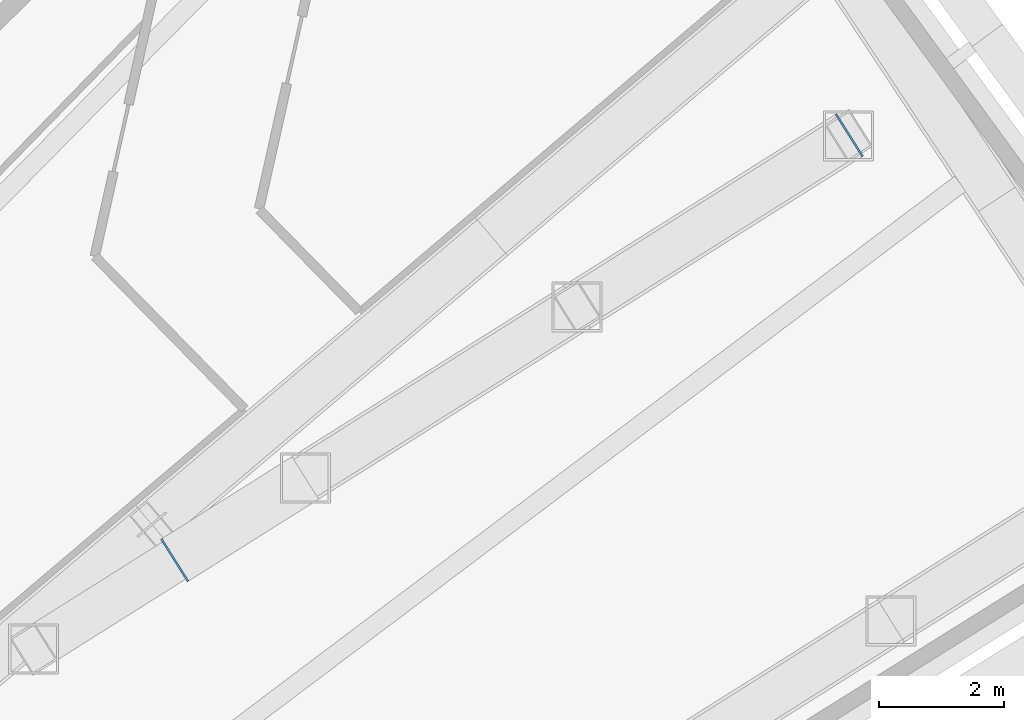
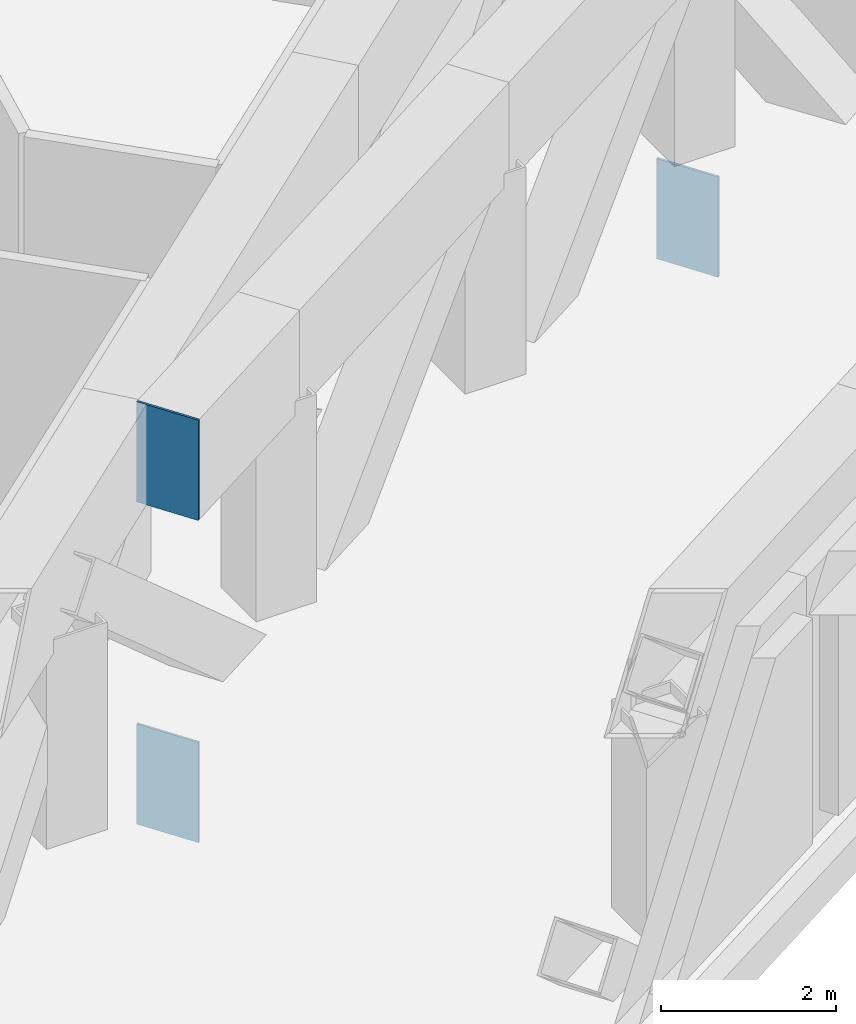
# One storey, part 14 of 24: 3 discrete accessories.
"""IFC4 building model written with IfcOpenShell, lengths in metres."""

from ifc_helpers import new_model, si_unit, direction, frame, origin, origin_2d, place, context, subcontext, project, spatial, rectangle, extrude, material, type_object, element, save


model = new_model("IFC4")

# Units and contexts
model_context = context("Model", 3, precision=1e-05, world=origin(), true_north=direction((0.0, 1.0)))
body_context = subcontext(model_context, "Body", "Model", "MODEL_VIEW")
ifc_project = project(units=[si_unit("LENGTHUNIT", "METRE"), si_unit("AREAUNIT", "SQUARE_METRE"), si_unit("VOLUMEUNIT", "CUBIC_METRE"), si_unit("PLANEANGLEUNIT", "RADIAN"), si_unit("MASSUNIT", "GRAM", prefix="KILO")], contexts=[model_context])

# Site, building, storey
site_placement = place(None, origin())
site = spatial("IfcSite", under=ifc_project, at=site_placement, CompositionType="ELEMENT")
building_placement = place(site_placement, origin())
building = spatial("IfcBuilding", under=site, at=building_placement, Name="Tuul Gate Civic Tower", CompositionType="ELEMENT")
storey_placement = place(building_placement, frame((0.0, 0.0, 94.800048828125)))
storey = spatial("IfcBuildingStorey", under=building, at=storey_placement, Name="Plant and refuge floor 3", CompositionType="ELEMENT", Elevation=94.800048828125)

# Discrete accessories
ifc_material = material(Name="Steel S355", Category="steel")
discrete_accessory_type = type_object("IfcDiscreteAccessoryType", Name="End cap plate", PredefinedType="BRACKET", material=ifc_material)
for number, where, z_axis, x_axis, name in (
    (1, (66.49169921875, -15.4130859375, -1.800048828125), (0.0, 0.0, 1.0), (0.846131945012, 0.53297348117, 0.0), "End cap plate"),
    (2, (55.705810546875, -22.205810546875, -1.800048828125), (0.0, 0.0, 1.0), (0.846219820146, 0.53283394786, 0.0), "End cap plate"),
    (3, (55.705810546875, -22.205810546875, 2.699951171875), (0.0, 0.0, 1.0), (0.846219820146, 0.53283394786, 0.0), "End cap plate"),
):
    element("IfcDiscreteAccessory", number, at=place(storey_placement, frame(where, z_axis=z_axis, x_axis=x_axis)), inside=storey, type_object=discrete_accessory_type, Name=name, PredefinedType="BRACKET", context=body_context, shape_type="SweptSolid", body=[
        extrude(rectangle(XDim=0.030029296875, YDim=0.800048828125, at=origin_2d()), origin(), (0.0, 0.0, 1.0), 1.39990234375),
    ])

save(model, "model.ifc")
